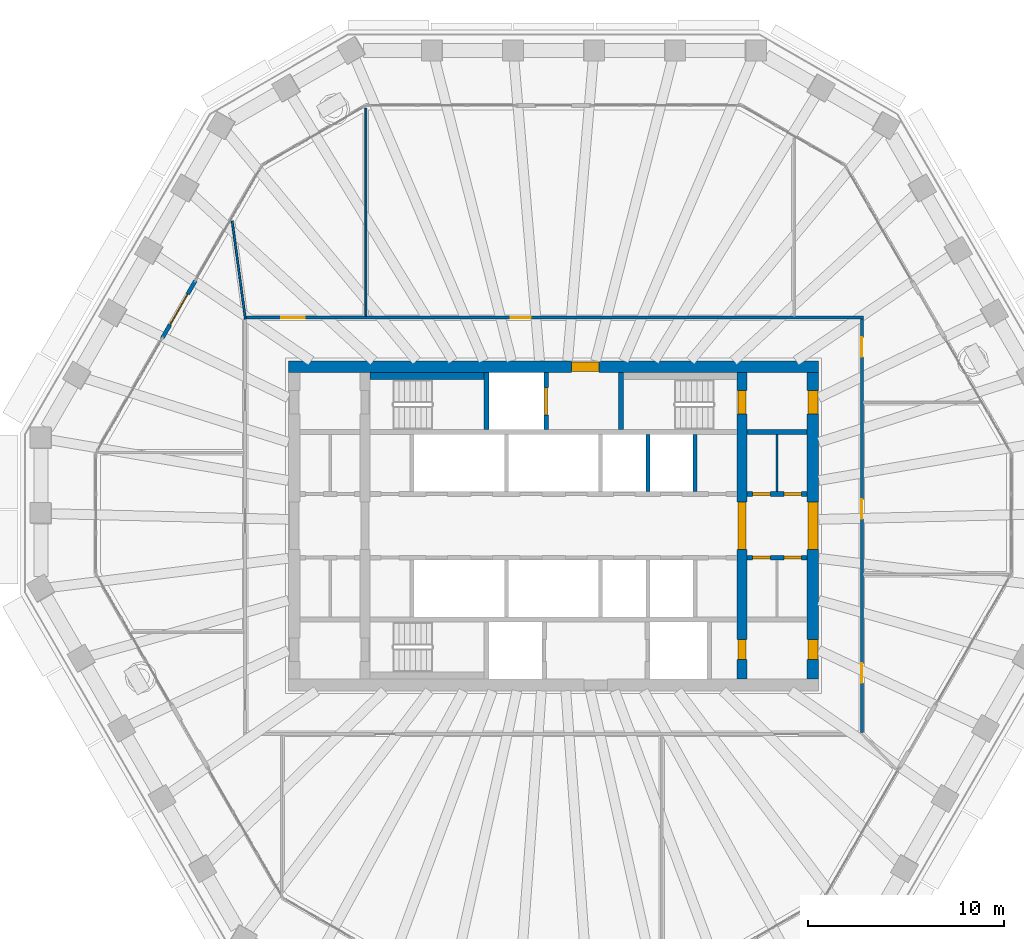
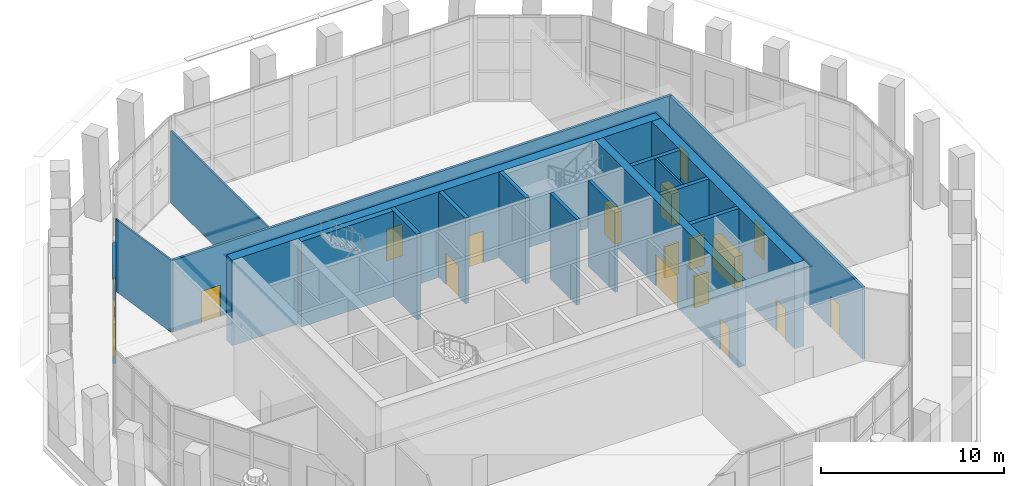
# One storey, part 14 of 19: 18 doors, 18 walls, 1 window, 19 openings.
"""IFC4 building model written with IfcOpenShell, lengths in metres."""

import ifcopenshell
import ifcopenshell.guid

model = None  # the IFC model being written
_history = None  # IfcOwnerHistory: only IFC2X3 demands one
_inside = {}  # id of a spatial element -> (the spatial element, [elements in it])
_under = {}  # id of a project, library or spatial element -> (it, [spatial elements below it])
_declared = {}  # id of a project -> (the project, [libraries it declares])
_typed = {}  # id of a type object -> (the type object, [elements of that type])
_made_of = {}  # id of a material, layer set ... -> (it, [elements and type objects made of it])


def new_model(schema):
    """Start an empty IFC model of exactly this schema.

    Asked for "IFC4X3", IfcOpenShell would pick the latest addendum, in which some entities
    have other attributes; the version numbers below select the first issue.
    IFC2X3 requires an IfcOwnerHistory on every rooted entity: one is made here for all.
    """
    global model, _history
    if schema == "IFC4X3":
        model = ifcopenshell.file(schema_version=(4, 3, 0, 0))
    else:
        model = ifcopenshell.file(schema=schema)
    _inside.clear()
    _under.clear()
    _declared.clear()
    _typed.clear()
    _made_of.clear()
    _history = None
    if model.schema == "IFC2X3":
        org = make("IfcOrganization", Name="unknown")
        user = make(
            "IfcPersonAndOrganization",
            ThePerson=make("IfcPerson", FamilyName="unknown"),
            TheOrganization=org,
        )
        app = make(
            "IfcApplication",
            ApplicationDeveloper=org,
            Version="unknown",
            ApplicationFullName="unknown",
            ApplicationIdentifier="unknown",
        )
        _history = make(
            "IfcOwnerHistory",
            OwningUser=user,
            OwningApplication=app,
            ChangeAction="ADDED",
            CreationDate=0,
        )
    return model


def make(cls, **values):
    """One entity of the class cls with the attributes given. An attribute that is None is left unset."""
    return model.create_entity(
        cls, **{name: value for name, value in values.items() if value is not None}
    )


def rooted(cls, **values):
    """An entity with a GlobalId (a new one), such as an element, a storey or a relation."""
    return make(cls, GlobalId=ifcopenshell.guid.new(), OwnerHistory=_history, **values)


def si_unit(unit_type, name, prefix=None):
    """IfcSIUnit, for example si_unit("LENGTHUNIT", "METRE", prefix="MILLI")."""
    return make("IfcSIUnit", UnitType=unit_type, Prefix=prefix, Name=name)


def assignment(units):
    """IfcUnitAssignment: the units of a project."""
    return None if units is None else make("IfcUnitAssignment", Units=units)


def point(xyz):
    """IfcCartesianPoint."""
    return None if xyz is None else make("IfcCartesianPoint", Coordinates=xyz)


def direction(xyz):
    """IfcDirection."""
    return None if xyz is None else make("IfcDirection", DirectionRatios=xyz)


def frame(location, z_axis=None, x_axis=None):
    """IfcAxis2Placement3D, a coordinate frame: its origin and axes. An axis left out is left unset."""
    return make(
        "IfcAxis2Placement3D",
        Location=point(location),
        Axis=direction(z_axis),
        RefDirection=direction(x_axis),
    )


def frame_2d(location, x_axis=None):
    """IfcAxis2Placement2D, a coordinate frame in the plane: its origin and x axis."""
    return make(
        "IfcAxis2Placement2D", Location=point(location), RefDirection=direction(x_axis)
    )


def origin():
    """The frame at (0, 0, 0) with its axes left unset."""
    return frame((0.0, 0.0, 0.0))


def place(relative_to, where):
    """IfcLocalPlacement: puts the frame where relative to a parent placement (None: the world)."""
    return make(
        "IfcLocalPlacement", PlacementRelTo=relative_to, RelativePlacement=where
    )


def context(
    kind, dimensions, precision=None, world=None, true_north=None, identifier=None
):
    """IfcGeometricRepresentationContext, for example the 3D "Model" context."""
    return make(
        "IfcGeometricRepresentationContext",
        ContextIdentifier=identifier,
        ContextType=kind,
        CoordinateSpaceDimension=dimensions,
        Precision=precision,
        WorldCoordinateSystem=world,
        TrueNorth=true_north,
    )


def subcontext(parent, identifier, kind, view, scale=None):
    """IfcGeometricRepresentationSubContext, for example "Body" below "Model"."""
    return make(
        "IfcGeometricRepresentationSubContext",
        ContextIdentifier=identifier,
        ContextType=kind,
        ParentContext=parent,
        TargetScale=scale,
        TargetView=view,
    )


def project(units=None, contexts=None):
    """IfcProject with its units and contexts."""
    return rooted(
        "IfcProject",
        Name="project",
        RepresentationContexts=contexts,
        UnitsInContext=assignment(units),
    )


def spatial(cls, under=None, at=None, **own):
    """A site, building, storey or space (cls), placed at a placement, below another one or the project."""
    s = rooted(cls, ObjectPlacement=at, **own)
    if under is not None:
        _under.setdefault(under.id(), (under, []))[1].append(s)
    return s


def profile(cls, at=None, kind="AREA", **sizes):
    """A parametric profile (cls). Its sizes go by their IFC names, for example OverallWidth=200.0."""
    return make(cls, ProfileType=kind, Position=at, **sizes)


def rectangle(**sizes):
    """IfcRectangleProfileDef."""
    return profile("IfcRectangleProfileDef", **sizes)


def extrude(swept, where, along, depth):
    """IfcExtrudedAreaSolid: the profile swept, set in the frame where, extruded along a direction by depth."""
    return make(
        "IfcExtrudedAreaSolid",
        SweptArea=swept,
        Position=where,
        ExtrudedDirection=direction(along),
        Depth=depth,
    )


def shape(context_of_items, identifier, shape_type, items):
    """IfcShapeRepresentation: the items that make up one representation, for example the "Body"."""
    return make(
        "IfcShapeRepresentation",
        ContextOfItems=context_of_items,
        RepresentationIdentifier=identifier,
        RepresentationType=shape_type,
        Items=items,
    )


def material(Name=None, Category=None):
    """IfcMaterial."""
    return make("IfcMaterial", Name=Name, Category=Category)


def layer(
    of_material, thickness, ventilated=None, Name=None, Category=None, Priority=None
):
    """IfcMaterialLayer: one layer of a wall or slab, of a material (None: an air gap)."""
    return make(
        "IfcMaterialLayer",
        Material=of_material,
        LayerThickness=thickness,
        IsVentilated=ventilated,
        Name=Name,
        Category=Category,
        Priority=Priority,
    )


def layer_set(layers, Name=None):
    """IfcMaterialLayerSet."""
    return make("IfcMaterialLayerSet", MaterialLayers=layers, LayerSetName=Name)


def made_of(thing, what):
    """Note that an element or type object is made of a material, layer set ...; save() writes the relation."""
    if what is not None:
        _made_of.setdefault(what.id(), (what, []))[1].append(thing)
    return thing


def type_object(cls, material=None, **own):
    """A type object (cls), such as IfcWallType, which elements share."""
    return made_of(rooted(cls, **own), material)


def element(
    cls,
    number,
    at=None,
    inside=None,
    cuts=None,
    type_object=None,
    material=None,
    context=None,
    identifier="Body",
    shape_type=None,
    held_by="IfcProductDefinitionShape",
    body=None,
    shapes=None,
    **own,
):
    """One element of the class cls, such as IfcWall. Its Tag is "e" and its number.

    at: its placement. inside: the storey or other place that contains it. cuts: it is an
    opening in that element (IfcRelVoidsElement). A single representation is given by context,
    identifier, shape_type and body (its items); several are given by shapes. held_by: the class
    of the entity that holds the representations. save() writes the other relations.
    """
    e = rooted(cls, Tag="e%d" % number, ObjectPlacement=at, **own)
    if body is not None:
        shapes = [shape(context, identifier, shape_type, body)]
    if shapes is not None:
        e.Representation = make(held_by, Representations=shapes)
    if inside is not None:
        _inside.setdefault(inside.id(), (inside, []))[1].append(e)
    if cuts is not None:
        rooted(
            "IfcRelVoidsElement", RelatingBuildingElement=cuts, RelatedOpeningElement=e
        )
    if type_object is not None:
        _typed.setdefault(type_object.id(), (type_object, []))[1].append(e)
    return made_of(e, material)


def fill(opening, filler):
    """IfcRelFillsElement: the door or window that sits in an opening."""
    return rooted(
        "IfcRelFillsElement",
        RelatingOpeningElement=opening,
        RelatedBuildingElement=filler,
    )


def aggregate(whole, parts):
    """IfcRelAggregates: a whole, such as a stair, and the parts it consists of."""
    return rooted("IfcRelAggregates", RelatingObject=whole, RelatedObjects=parts)


def save(model, path):
    """Write the relations noted so far, then the file.

    IfcRelAggregates (storeys below a building ...), IfcRelContainedInSpatialStructure (elements
    in a storey), IfcRelDefinesByType, IfcRelAssociatesMaterial and IfcRelDeclares: one each for
    every whole, place, type object, material and project.
    """
    for whole, parts in _under.values():
        aggregate(whole, parts)
    for where, things in _inside.values():
        rooted(
            "IfcRelContainedInSpatialStructure",
            RelatedElements=things,
            RelatingStructure=where,
        )
    for kind, things in _typed.values():
        rooted("IfcRelDefinesByType", RelatedObjects=things, RelatingType=kind)
    for what, things in _made_of.values():
        rooted("IfcRelAssociatesMaterial", RelatedObjects=things, RelatingMaterial=what)
    for by, libraries in _declared.values():
        rooted("IfcRelDeclares", RelatingContext=by, RelatedDefinitions=libraries)
    model.write(path)


model = new_model("IFC4")

# Units and contexts
model_context = context("Model", 3, precision=1e-05, world=origin(), true_north=direction((0.0, 1.0)))
body_context = subcontext(model_context, "Body", "Model", "MODEL_VIEW")
ifc_project = project(units=[si_unit("LENGTHUNIT", "METRE"), si_unit("AREAUNIT", "SQUARE_METRE"), si_unit("VOLUMEUNIT", "CUBIC_METRE"), si_unit("PLANEANGLEUNIT", "RADIAN"), si_unit("MASSUNIT", "GRAM", prefix="KILO")], contexts=[model_context])

# Site, building, storey
site_placement = place(None, origin())
site = spatial("IfcSite", under=ifc_project, at=site_placement, CompositionType="ELEMENT")
building_placement = place(site_placement, origin())
building = spatial("IfcBuilding", under=site, at=building_placement, Name="Frailejon Research Tower", CompositionType="ELEMENT")
storey_placement = place(building_placement, frame((0.0, 0.0, 231.39990234375)))
storey = spatial("IfcBuildingStorey", under=building, at=storey_placement, Name="L50", CompositionType="ELEMENT", Elevation=231.39990234375)

# Wall
ifc_material_1 = material(Name="Plasterboard on steel studs", Category="steel")
ifc_layer_1 = layer(ifc_material_1, 0.125)
ifc_layer_set_1 = layer_set([ifc_layer_1], Name="Core partition 125")
wall_type_1 = type_object("IfcWallType", Name="Core partition 125", PredefinedType="PARTITIONING", material=ifc_layer_set_1)
wall_1_placement = place(storey_placement, frame((11.375, 1.75, 0.0), z_axis=(0.0, 0.0, 1.0), x_axis=(0.0, 1.0, 0.0)))
element("IfcWall", 1, at=wall_1_placement, inside=storey, type_object=wall_type_1, Name="Core partition", PredefinedType="PARTITIONING", context=body_context, shape_type="SweptSolid", body=[
    extrude(rectangle(XDim=2.89990234375, YDim=0.125, at=frame_2d((1.449951171875, 0.0))), origin(), (0.0, 0.0, 1.0), 5.7001953125),
])

# Wall, openings, doors
ifc_material_2 = material(Name="Concrete C60/75", Category="concrete")
ifc_layer_2 = layer(ifc_material_2, 0.5)
ifc_layer_set_2 = layer_set([ifc_layer_2], Name="Core shear wall 500 C60/75")
wall_type_2 = type_object("IfcWallType", Name="Core shear wall 500 C60/75", PredefinedType="SHEAR", material=ifc_layer_set_2)
wall_2_placement = place(storey_placement, frame((9.60009765625, -7.800048828125, 0.0), z_axis=(0.0, 0.0, 1.0), x_axis=(0.0, 1.0, 0.0)))
wall_2 = element("IfcWall", 2, at=wall_2_placement, inside=storey, type_object=wall_type_2, Name="Core shear wall", PredefinedType="SHEAR", context=body_context, shape_type="SweptSolid", body=[
    extrude(rectangle(XDim=15.60009765625, YDim=0.5, at=frame_2d((7.800048828125, 0.0))), origin(), (0.0, 0.0, 1.0), 5.7001953125),
])
opening_1_placement = place(wall_2_placement, frame((6.60009765625, 0.0, 0.0)))
opening_1 = element("IfcOpeningElement", 3, at=opening_1_placement, cuts=wall_2, Name="Opening D2", PredefinedType="OPENING", context=body_context, shape_type="SweptSolid", body=[
    extrude(rectangle(XDim=2.39990234375, YDim=2.10009765625, at=frame_2d((1.199951171875, 1.050048828125))), frame((0.0, 0.260009765625, 0.0), z_axis=(0.0, -1.0, 0.0), x_axis=(1.0, 0.0, 0.0)), (0.0, 0.0, 1.0), 0.52001953125),
])
opening_2_placement = place(wall_2_placement, frame((13.5, 0.0, 0.0)))
opening_2 = element("IfcOpeningElement", 4, at=opening_2_placement, cuts=wall_2, Name="Opening D1", PredefinedType="OPENING", context=body_context, shape_type="SweptSolid", body=[
    extrude(rectangle(XDim=1.199951171875, YDim=2.10009765625, at=frame_2d((0.60009765625, 1.050048828125))), frame((0.0, 0.260009765625, 0.0), z_axis=(0.0, -1.0, 0.0), x_axis=(1.0, 0.0, 0.0)), (0.0, 0.0, 1.0), 0.52001953125),
])
opening_3_placement = place(wall_2_placement, frame((1.0, 0.0, 0.0)))
opening_3 = element("IfcOpeningElement", 5, at=opening_3_placement, cuts=wall_2, Name="Opening D4", PredefinedType="OPENING", context=body_context, shape_type="SweptSolid", body=[
    extrude(rectangle(XDim=1.0, YDim=2.10009765625, at=frame_2d((0.5, 1.050048828125))), frame((0.0, 0.260009765625, 0.0), z_axis=(0.0, -1.0, 0.0), x_axis=(1.0, 0.0, 0.0)), (0.0, 0.0, 1.0), 0.52001953125),
])
ifc_material_3 = material(Name="Steel", Category="steel")
door_type_1 = type_object("IfcDoorType", Name="Lobby double door", OperationType="DOUBLE_DOOR_SINGLE_SWING", PredefinedType="DOOR", material=ifc_material_3)
door_1_placement = place(opening_1_placement, origin())
door_1 = element("IfcDoor", 6, at=door_1_placement, inside=storey, type_object=door_type_1, Name="Lobby door", OperationType="DOUBLE_DOOR_SINGLE_SWING", OverallHeight=2.10009765625, OverallWidth=2.39990234375, PredefinedType="DOOR", context=body_context, shape_type="SweptSolid", body=[
    extrude(rectangle(XDim=2.39990234375, YDim=2.10009765625, at=frame_2d((1.199951171875, 1.050048828125))), frame((0.0, 0.199951171875, 0.0), z_axis=(0.0, -1.0, 0.0), x_axis=(1.0, 0.0, 0.0)), (0.0, 0.0, 1.0), 0.39990234375),
])
fill(opening_1, door_1)
ifc_material_4 = material(Name="Steel", Category="steel")
door_type_2 = type_object("IfcDoorType", Name="Service door", OperationType="SINGLE_SWING_LEFT", PredefinedType="DOOR", material=ifc_material_4)
door_2_placement = place(opening_3_placement, origin())
door_2 = element("IfcDoor", 7, at=door_2_placement, inside=storey, type_object=door_type_2, Name="Riser door", OperationType="SINGLE_SWING_RIGHT", OverallHeight=2.10009765625, OverallWidth=1.0, PredefinedType="DOOR", context=body_context, shape_type="SweptSolid", body=[
    extrude(rectangle(XDim=1.0, YDim=2.10009765625, at=frame_2d((0.5, 1.050048828125))), frame((0.0, 0.199951171875, 0.0), z_axis=(0.0, -1.0, 0.0), x_axis=(1.0, 0.0, 0.0)), (0.0, 0.0, 1.0), 0.39990234375),
])
fill(opening_3, door_2)
ifc_material_5 = material(Name="Steel", Category="steel")
door_type_3 = type_object("IfcDoorType", Name="Stair door", OperationType="SINGLE_SWING_LEFT", PredefinedType="DOOR", material=ifc_material_5)
door_3_placement = place(opening_2_placement, origin())
door_3 = element("IfcDoor", 8, at=door_3_placement, inside=storey, type_object=door_type_3, Name="Stair door ST3", OperationType="SINGLE_SWING_RIGHT", OverallHeight=2.10009765625, OverallWidth=1.199951171875, PredefinedType="DOOR", context=body_context, shape_type="SweptSolid", body=[
    extrude(rectangle(XDim=1.199951171875, YDim=2.10009765625, at=frame_2d((0.60009765625, 1.050048828125))), frame((0.0, 0.199951171875, 0.0), z_axis=(0.0, -1.0, 0.0), x_axis=(1.0, 0.0, 0.0)), (0.0, 0.0, 1.0), 0.39990234375),
])
fill(opening_2, door_3)

# Wall, opening, door
ifc_material_6 = material(Name="Concrete C60/75", Category="concrete")
ifc_layer_3 = layer(ifc_material_6, 0.60009765625)
ifc_layer_set_3 = layer_set([ifc_layer_3], Name="Core shear wall 600 C60/75")
wall_type_3 = type_object("IfcWallType", Name="Core shear wall 600 C60/75", PredefinedType="SHEAR", material=ifc_layer_set_3)
wall_3_placement = place(storey_placement, frame((-13.5, 8.10009765625, 0.0), z_axis=(0.0, 0.0, 1.0), x_axis=(1.0, 0.0, 0.0)))
wall_3 = element("IfcWall", 9, at=wall_3_placement, inside=storey, type_object=wall_type_3, Name="Core shear wall", PredefinedType="SHEAR", context=body_context, shape_type="SweptSolid", body=[
    extrude(rectangle(XDim=27.0, YDim=0.60009765625, at=frame_2d((13.5, 0.0))), origin(), (0.0, 0.0, 1.0), 5.7001953125),
])
opening_4_placement = place(wall_3_placement, frame((14.425048828125, 0.0, 0.0)))
opening_4 = element("IfcOpeningElement", 10, at=opening_4_placement, cuts=wall_3, Name="Opening D9", PredefinedType="OPENING", context=body_context, shape_type="SweptSolid", body=[
    extrude(rectangle(XDim=1.39990234375, YDim=2.10009765625, at=frame_2d((0.699951171875, 1.050048828125))), frame((0.0, 0.31005859375, 0.0), z_axis=(0.0, -1.0, 0.0), x_axis=(1.0, 0.0, 0.0)), (0.0, 0.0, 1.0), 0.6201171875),
])
ifc_material_7 = material(Name="Steel", Category="steel")
door_type_4 = type_object("IfcDoorType", Name="Goods lobby door", OperationType="DOUBLE_DOOR_SINGLE_SWING", PredefinedType="DOOR", material=ifc_material_7)
door_4_placement = place(opening_4_placement, origin())
door_4 = element("IfcDoor", 11, at=door_4_placement, inside=storey, type_object=door_type_4, Name="Goods lobby door", OperationType="DOUBLE_DOOR_SINGLE_SWING", OverallHeight=2.10009765625, OverallWidth=1.39990234375, PredefinedType="DOOR", context=body_context, shape_type="SweptSolid", body=[
    extrude(rectangle(XDim=1.39990234375, YDim=2.10009765625, at=frame_2d((0.699951171875, 1.050048828125))), frame((0.0, 0.25, 0.0), z_axis=(0.0, -1.0, 0.0), x_axis=(1.0, 0.0, 0.0)), (0.0, 0.0, 1.0), 0.5),
])
fill(opening_4, door_4)

# Wall, openings, doors
wall_4_placement = place(storey_placement, frame((13.199951171875, -7.800048828125, 0.0), z_axis=(0.0, 0.0, 1.0), x_axis=(0.0, 1.0, 0.0)))
wall_4 = element("IfcWall", 12, at=wall_4_placement, inside=storey, type_object=wall_type_3, Name="Core shear wall", PredefinedType="SHEAR", context=body_context, shape_type="SweptSolid", body=[
    extrude(rectangle(XDim=15.60009765625, YDim=0.60009765625, at=frame_2d((7.800048828125, 0.0))), origin(), (0.0, 0.0, 1.0), 5.7001953125),
])
opening_5_placement = place(wall_4_placement, frame((6.60009765625, 0.0, 0.0)))
opening_5 = element("IfcOpeningElement", 13, at=opening_5_placement, cuts=wall_4, Name="Opening D2", PredefinedType="OPENING", context=body_context, shape_type="SweptSolid", body=[
    extrude(rectangle(XDim=2.39990234375, YDim=2.10009765625, at=frame_2d((1.199951171875, 1.050048828125))), frame((0.0, 0.31005859375, 0.0), z_axis=(0.0, -1.0, 0.0), x_axis=(1.0, 0.0, 0.0)), (0.0, 0.0, 1.0), 0.6201171875),
])
opening_6_placement = place(wall_4_placement, frame((13.5, 0.0, 0.0)))
opening_6 = element("IfcOpeningElement", 14, at=opening_6_placement, cuts=wall_4, Name="Opening D7", PredefinedType="OPENING", context=body_context, shape_type="SweptSolid", body=[
    extrude(rectangle(XDim=1.199951171875, YDim=2.10009765625, at=frame_2d((0.60009765625, 1.050048828125))), frame((0.0, 0.31005859375, 0.0), z_axis=(0.0, -1.0, 0.0), x_axis=(1.0, 0.0, 0.0)), (0.0, 0.0, 1.0), 0.6201171875),
])
opening_7_placement = place(wall_4_placement, frame((1.0, 0.0, 0.0)))
opening_7 = element("IfcOpeningElement", 15, at=opening_7_placement, cuts=wall_4, Name="Opening D4", PredefinedType="OPENING", context=body_context, shape_type="SweptSolid", body=[
    extrude(rectangle(XDim=1.0, YDim=2.10009765625, at=frame_2d((0.5, 1.050048828125))), frame((0.0, 0.31005859375, 0.0), z_axis=(0.0, -1.0, 0.0), x_axis=(1.0, 0.0, 0.0)), (0.0, 0.0, 1.0), 0.6201171875),
])
door_5_placement = place(opening_5_placement, origin())
door_5 = element("IfcDoor", 16, at=door_5_placement, inside=storey, type_object=door_type_1, Name="Lobby door", OperationType="DOUBLE_DOOR_SINGLE_SWING", OverallHeight=2.10009765625, OverallWidth=2.39990234375, PredefinedType="DOOR", context=body_context, shape_type="SweptSolid", body=[
    extrude(rectangle(XDim=2.39990234375, YDim=2.10009765625, at=frame_2d((1.199951171875, 1.050048828125))), frame((0.0, 0.25, 0.0), z_axis=(0.0, -1.0, 0.0), x_axis=(1.0, 0.0, 0.0)), (0.0, 0.0, 1.0), 0.5),
])
fill(opening_5, door_5)
door_6_placement = place(opening_7_placement, origin())
door_6 = element("IfcDoor", 17, at=door_6_placement, inside=storey, type_object=door_type_2, Name="Store door", OperationType="SINGLE_SWING_LEFT", OverallHeight=2.10009765625, OverallWidth=1.0, PredefinedType="DOOR", context=body_context, shape_type="SweptSolid", body=[
    extrude(rectangle(XDim=1.0, YDim=2.10009765625, at=frame_2d((0.5, 1.050048828125))), frame((0.0, 0.25, 0.0), z_axis=(0.0, -1.0, 0.0), x_axis=(1.0, 0.0, 0.0)), (0.0, 0.0, 1.0), 0.5),
])
fill(opening_7, door_6)
ifc_material_8 = material(Name="Steel", Category="steel")
door_type_5 = type_object("IfcDoorType", Name="Stair exit door", OperationType="SINGLE_SWING_LEFT", PredefinedType="DOOR", material=ifc_material_8)
door_7_placement = place(opening_6_placement, origin())
door_7 = element("IfcDoor", 18, at=door_7_placement, inside=storey, type_object=door_type_5, Name="Stair exit door ST3", OperationType="SINGLE_SWING_LEFT", OverallHeight=2.10009765625, OverallWidth=1.199951171875, PredefinedType="DOOR", context=body_context, shape_type="SweptSolid", body=[
    extrude(rectangle(XDim=1.199951171875, YDim=2.10009765625, at=frame_2d((0.60009765625, 1.050048828125))), frame((0.0, 0.25, 0.0), z_axis=(0.0, -1.0, 0.0), x_axis=(1.0, 0.0, 0.0)), (0.0, 0.0, 1.0), 0.5),
])
fill(opening_6, door_7)

ifc_material_9 = material(Name="Gypsum board and masonry partition", Category="masonry")
ifc_layer_4 = layer(ifc_material_9, 0.14990234375)
ifc_layer_set_4 = layer_set([ifc_layer_4], Name="Corridor wall EI 60, gypsum on steel studs 150")
wall_type_4 = type_object("IfcWallType", Name="Corridor wall EI 60, gypsum on steel studs 150", PredefinedType="PARTITIONING", material=ifc_layer_set_4)
wall_5_placement = place(storey_placement, frame((15.699951171875, -10.52490234375, 0.0), z_axis=(0.0, 0.0, 1.0), x_axis=(0.0, 1.0, 0.0)))
wall_5 = element("IfcWall", 19, at=wall_5_placement, inside=storey, type_object=wall_type_4, Name="T:IW:L50:001", PredefinedType="PARTITIONING", context=body_context, shape_type="SweptSolid", body=[
    extrude(rectangle(XDim=21.0498046875, YDim=0.14990234375, at=frame_2d((10.52490234375, 0.0))), origin(), (0.0, 0.0, 1.0), 4.800048828125),
])
opening_8_placement = place(wall_5_placement, frame((10.87255859375, 0.0, 0.0)))
opening_8 = element("IfcOpeningElement", 20, at=opening_8_placement, cuts=wall_5, Name="Opening D1120", PredefinedType="OPENING", context=body_context, shape_type="SweptSolid", body=[
    extrude(rectangle(XDim=1.0, YDim=2.10009765625, at=frame_2d((0.5, 1.050048828125))), frame((0.0, 0.0849609375, 0.0), z_axis=(0.0, -1.0, 0.0), x_axis=(1.0, 0.0, 0.0)), (0.0, 0.0, 1.0), 0.169921875),
])
opening_9_placement = place(wall_5_placement, frame((19.122314453125, 0.0, 0.0)))
opening_9 = element("IfcOpeningElement", 21, at=opening_9_placement, cuts=wall_5, Name="Opening D1121", PredefinedType="OPENING", context=body_context, shape_type="SweptSolid", body=[
    extrude(rectangle(XDim=1.0, YDim=2.10009765625, at=frame_2d((0.5, 1.050048828125))), frame((0.0, 0.0849609375, 0.0), z_axis=(0.0, -1.0, 0.0), x_axis=(1.0, 0.0, 0.0)), (0.0, 0.0, 1.0), 0.169921875),
])
opening_10_placement = place(wall_5_placement, frame((2.523681640625, 0.0, 0.0)))
opening_10 = element("IfcOpeningElement", 22, at=opening_10_placement, cuts=wall_5, Name="Opening D1129", PredefinedType="OPENING", context=body_context, shape_type="SweptSolid", body=[
    extrude(rectangle(XDim=1.0, YDim=2.10009765625, at=frame_2d((0.5, 1.050048828125))), frame((0.0, 0.0849609375, 0.0), z_axis=(0.0, -1.0, 0.0), x_axis=(1.0, 0.0, 0.0)), (0.0, 0.0, 1.0), 0.169921875),
])
ifc_material_10 = material(Name="Timber door leaf", Category="wood")
door_type_6 = type_object("IfcDoorType", Name="Door single leaf, timber, steel frame 1000", OperationType="NOTDEFINED", PredefinedType="DOOR", material=ifc_material_10)
door_8_placement = place(opening_8_placement, origin())
door_8 = element("IfcDoor", 23, at=door_8_placement, inside=storey, type_object=door_type_6, Name="D1120", OperationType="SINGLE_SWING_RIGHT", OverallHeight=2.10009765625, OverallWidth=1.0, PredefinedType="DOOR", context=body_context, shape_type="SweptSolid", body=[
    extrude(rectangle(XDim=1.0, YDim=2.10009765625, at=frame_2d((0.5, 1.050048828125))), frame((0.0, 0.02490234375, 0.0), z_axis=(0.0, -1.0, 0.0), x_axis=(1.0, 0.0, 0.0)), (0.0, 0.0, 1.0), 0.050048828125),
])
fill(opening_8, door_8)
door_9_placement = place(opening_9_placement, origin())
door_9 = element("IfcDoor", 24, at=door_9_placement, inside=storey, type_object=door_type_6, Name="D1121", OperationType="SINGLE_SWING_LEFT", OverallHeight=2.10009765625, OverallWidth=1.0, PredefinedType="DOOR", context=body_context, shape_type="SweptSolid", body=[
    extrude(rectangle(XDim=1.0, YDim=2.10009765625, at=frame_2d((0.5, 1.050048828125))), frame((0.0, 0.02490234375, 0.0), z_axis=(0.0, -1.0, 0.0), x_axis=(1.0, 0.0, 0.0)), (0.0, 0.0, 1.0), 0.050048828125),
])
fill(opening_9, door_9)
door_10_placement = place(opening_10_placement, origin())
door_10 = element("IfcDoor", 25, at=door_10_placement, inside=storey, type_object=door_type_6, Name="D1129", OperationType="SINGLE_SWING_LEFT", OverallHeight=2.10009765625, OverallWidth=1.0, PredefinedType="DOOR", context=body_context, shape_type="SweptSolid", body=[
    extrude(rectangle(XDim=1.0, YDim=2.10009765625, at=frame_2d((0.5, 1.050048828125))), frame((0.0, 0.02490234375, 0.0), z_axis=(0.0, -1.0, 0.0), x_axis=(1.0, 0.0, 0.0)), (0.0, 0.0, 1.0), 0.050048828125),
])
fill(opening_10, door_10)

wall_6_placement = place(storey_placement, frame((-15.625, 10.60009765625, 0.0), z_axis=(0.0, 0.0, 1.0), x_axis=(1.0, 0.0, 0.0)))
wall_6 = element("IfcWall", 26, at=wall_6_placement, inside=storey, type_object=wall_type_4, Name="T:IW:L50:002", PredefinedType="PARTITIONING", context=body_context, shape_type="SweptSolid", body=[
    extrude(rectangle(XDim=31.39990234375, YDim=0.14990234375, at=frame_2d((15.699951171875, 0.0))), origin(), (0.0, 0.0, 1.0), 4.800048828125),
])
opening_11_placement = place(wall_6_placement, frame((13.4541015625, 0.0, 0.0)))
opening_11 = element("IfcOpeningElement", 27, at=opening_11_placement, cuts=wall_6, Name="Opening D1122", PredefinedType="OPENING", context=body_context, shape_type="SweptSolid", body=[
    extrude(rectangle(XDim=1.0, YDim=2.10009765625, at=frame_2d((0.5, 1.050048828125))), frame((0.0, 0.0849609375, 0.0), z_axis=(0.0, -1.0, 0.0), x_axis=(1.0, 0.0, 0.0)), (0.0, 0.0, 1.0), 0.169921875),
])
opening_12_placement = place(wall_6_placement, frame((1.760498046875, 0.0, 0.0)))
opening_12 = element("IfcOpeningElement", 28, at=opening_12_placement, cuts=wall_6, Name="Opening D1123", PredefinedType="OPENING", context=body_context, shape_type="SweptSolid", body=[
    extrude(rectangle(XDim=1.199951171875, YDim=2.10009765625, at=frame_2d((0.60009765625, 1.050048828125))), frame((0.0, 0.0849609375, 0.0), z_axis=(0.0, -1.0, 0.0), x_axis=(1.0, 0.0, 0.0)), (0.0, 0.0, 1.0), 0.169921875),
])
door_11_placement = place(opening_11_placement, origin())
door_11 = element("IfcDoor", 29, at=door_11_placement, inside=storey, type_object=door_type_6, Name="D1122", OperationType="SINGLE_SWING_RIGHT", OverallHeight=2.10009765625, OverallWidth=1.0, PredefinedType="DOOR", context=body_context, shape_type="SweptSolid", body=[
    extrude(rectangle(XDim=1.0, YDim=2.10009765625, at=frame_2d((0.5, 1.050048828125))), frame((0.0, 0.02490234375, 0.0), z_axis=(0.0, -1.0, 0.0), x_axis=(1.0, 0.0, 0.0)), (0.0, 0.0, 1.0), 0.050048828125),
])
fill(opening_11, door_11)
ifc_material_11 = material(Name="Timber door leaf", Category="wood")
door_type_7 = type_object("IfcDoorType", Name="Door single leaf, timber, steel frame 1200", OperationType="NOTDEFINED", PredefinedType="DOOR", material=ifc_material_11)
door_12_placement = place(opening_12_placement, origin())
door_12 = element("IfcDoor", 30, at=door_12_placement, inside=storey, type_object=door_type_7, Name="D1123", OperationType="DOUBLE_DOOR_SINGLE_SWING", OverallHeight=2.10009765625, OverallWidth=1.199951171875, PredefinedType="DOOR", context=body_context, shape_type="SweptSolid", body=[
    extrude(rectangle(XDim=1.199951171875, YDim=2.10009765625, at=frame_2d((0.60009765625, 1.050048828125))), frame((0.0, 0.02490234375, 0.0), z_axis=(0.0, -1.0, 0.0), x_axis=(1.0, 0.0, 0.0)), (0.0, 0.0, 1.0), 0.050048828125),
])
fill(opening_12, door_12)

# Walls
ifc_material_12 = material(Name="Gypsum board and masonry partition", Category="masonry")
ifc_layer_5 = layer(ifc_material_12, 0.10009765625)
ifc_layer_set_5 = layer_set([ifc_layer_5], Name="Partition, gypsum on steel studs 100")
wall_type_5 = type_object("IfcWallType", Name="Partition, gypsum on steel studs 100", PredefinedType="PARTITIONING", material=ifc_layer_set_5)
wall_7_placement = place(storey_placement, frame((-9.555419921875, 10.675048828125, 0.0), z_axis=(0.0, 0.0, 1.0), x_axis=(0.0, 1.0, 0.0)))
element("IfcWall", 31, at=wall_7_placement, inside=storey, type_object=wall_type_5, Name="T:IW:L50:008", PredefinedType="PARTITIONING", context=body_context, shape_type="SweptSolid", body=[
    extrude(rectangle(XDim=10.593994140625, YDim=0.10009765625, at=frame_2d((5.296875, 0.0))), origin(), (0.0, 0.0, 1.0), 4.800048828125),
])
wall_8_placement = place(storey_placement, frame((-16.363037109375, 15.515380859375, 0.0), z_axis=(0.0, 0.0, 1.0), x_axis=(0.133684942014, -0.991023882799, 0.0)))
element("IfcWall", 32, at=wall_8_placement, inside=storey, type_object=wall_type_5, Name="T:IW:L50:009", PredefinedType="PARTITIONING", context=body_context, shape_type="SweptSolid", body=[
    extrude(rectangle(XDim=5.034912109375, YDim=0.10009765625, at=frame_2d((2.517578125, 0.0))), origin(), (0.0, 0.0, 1.0), 4.800048828125),
])
ifc_material_13 = material(Name="Concrete C60/75", Category="concrete")
ifc_layer_6 = layer(ifc_material_13, 0.199951171875)
ifc_layer_set_6 = layer_set([ifc_layer_6], Name="Shaft wall 200 C60/75")
wall_type_6 = type_object("IfcWallType", Name="Shaft wall 200 C60/75", PredefinedType="SOLIDWALL", material=ifc_layer_set_6)
for number, where, z_axis, x_axis, name in (
    (33, (4.800048828125, 1.75, 0.0), (0.0, 0.0, 1.0), (0.0, 1.0, 0.0), "Shaft wall"),
    (34, (7.199951171875, 1.75, 0.0), (0.0, 0.0, 1.0), (0.0, 1.0, 0.0), "Shaft wall"),
):
    element("IfcWall", number, at=place(storey_placement, frame(where, z_axis=z_axis, x_axis=x_axis)), inside=storey, type_object=wall_type_6, Name=name, PredefinedType="SOLIDWALL", context=body_context, shape_type="SweptSolid", body=[
        extrude(rectangle(XDim=2.89990234375, YDim=0.199951171875, at=frame_2d((1.449951171875, 0.0))), origin(), (0.0, 0.0, 1.0), 5.7001953125),
    ])

# Wall, openings, doors
ifc_material_14 = material(Name="Concrete C60/75", Category="concrete")
ifc_layer_7 = layer(ifc_material_14, 0.25)
ifc_layer_set_7 = layer_set([ifc_layer_7], Name="Shaft wall 250 C60/75")
wall_type_7 = type_object("IfcWallType", Name="Shaft wall 250 C60/75", PredefinedType="SOLIDWALL", material=ifc_layer_set_7)
wall_9_placement = place(storey_placement, frame((9.85009765625, 1.625, 0.0), z_axis=(0.0, 0.0, 1.0), x_axis=(1.0, 0.0, 0.0)))
wall_9 = element("IfcWall", 35, at=wall_9_placement, inside=storey, type_object=wall_type_7, Name="Shaft wall", PredefinedType="SOLIDWALL", context=body_context, shape_type="SweptSolid", body=[
    extrude(rectangle(XDim=3.0498046875, YDim=0.25, at=frame_2d((1.52490234375, 0.0))), origin(), (0.0, 0.0, 1.0), 5.7001953125),
])
opening_13_placement = place(wall_9_placement, frame((0.28125, 0.0, 0.0)))
opening_13 = element("IfcOpeningElement", 36, at=opening_13_placement, cuts=wall_9, Name="Opening D8", PredefinedType="OPENING", context=body_context, shape_type="SweptSolid", body=[
    extrude(rectangle(XDim=0.89990234375, YDim=2.10009765625, at=frame_2d((0.449951171875, 1.050048828125))), frame((0.0, 0.135009765625, 0.0), z_axis=(0.0, -1.0, 0.0), x_axis=(1.0, 0.0, 0.0)), (0.0, 0.0, 1.0), 0.27001953125),
])
opening_14_placement = place(wall_9_placement, frame((1.868896484375, 0.0, 0.0)))
opening_14 = element("IfcOpeningElement", 37, at=opening_14_placement, cuts=wall_9, Name="Opening D8", PredefinedType="OPENING", context=body_context, shape_type="SweptSolid", body=[
    extrude(rectangle(XDim=0.89990234375, YDim=2.10009765625, at=frame_2d((0.449951171875, 1.050048828125))), frame((0.0, 0.135009765625, 0.0), z_axis=(0.0, -1.0, 0.0), x_axis=(1.0, 0.0, 0.0)), (0.0, 0.0, 1.0), 0.27001953125),
])
ifc_material_15 = material(Name="Steel", Category="steel")
door_type_8 = type_object("IfcDoorType", Name="Core room door", OperationType="SINGLE_SWING_LEFT", PredefinedType="DOOR", material=ifc_material_15)
door_13_placement = place(opening_13_placement, origin())
door_13 = element("IfcDoor", 38, at=door_13_placement, inside=storey, type_object=door_type_8, Name="Room door", OperationType="SINGLE_SWING_RIGHT", OverallHeight=2.10009765625, OverallWidth=0.89990234375, PredefinedType="DOOR", context=body_context, shape_type="SweptSolid", body=[
    extrude(rectangle(XDim=0.89990234375, YDim=2.10009765625, at=frame_2d((0.449951171875, 1.050048828125))), frame((0.0, 0.074951171875, 0.0), z_axis=(0.0, -1.0, 0.0), x_axis=(1.0, 0.0, 0.0)), (0.0, 0.0, 1.0), 0.14990234375),
])
fill(opening_13, door_13)
door_14_placement = place(opening_14_placement, origin())
door_14 = element("IfcDoor", 39, at=door_14_placement, inside=storey, type_object=door_type_8, Name="Room door", OperationType="SINGLE_SWING_LEFT", OverallHeight=2.10009765625, OverallWidth=0.89990234375, PredefinedType="DOOR", context=body_context, shape_type="SweptSolid", body=[
    extrude(rectangle(XDim=0.89990234375, YDim=2.10009765625, at=frame_2d((0.449951171875, 1.050048828125))), frame((0.0, 0.074951171875, 0.0), z_axis=(0.0, -1.0, 0.0), x_axis=(1.0, 0.0, 0.0)), (0.0, 0.0, 1.0), 0.14990234375),
])
fill(opening_14, door_14)

# Wall
wall_10_placement = place(storey_placement, frame((9.85009765625, 4.77490234375, 0.0), z_axis=(0.0, 0.0, 1.0), x_axis=(1.0, 0.0, 0.0)))
element("IfcWall", 40, at=wall_10_placement, inside=storey, type_object=wall_type_7, Name="Shaft wall", PredefinedType="SOLIDWALL", context=body_context, shape_type="SweptSolid", body=[
    extrude(rectangle(XDim=3.0498046875, YDim=0.25, at=frame_2d((1.52490234375, 0.0))), origin(), (0.0, 0.0, 1.0), 5.7001953125),
])

# Wall, openings, doors
wall_11_placement = place(storey_placement, frame((9.85009765625, -1.625, 0.0), z_axis=(0.0, 0.0, 1.0), x_axis=(1.0, 0.0, 0.0)))
wall_11 = element("IfcWall", 41, at=wall_11_placement, inside=storey, type_object=wall_type_7, Name="Shaft wall", PredefinedType="SOLIDWALL", context=body_context, shape_type="SweptSolid", body=[
    extrude(rectangle(XDim=3.0498046875, YDim=0.25, at=frame_2d((1.52490234375, 0.0))), origin(), (0.0, 0.0, 1.0), 5.7001953125),
])
opening_15_placement = place(wall_11_placement, frame((0.28125, 0.0, 0.0)))
opening_15 = element("IfcOpeningElement", 42, at=opening_15_placement, cuts=wall_11, Name="Opening D8", PredefinedType="OPENING", context=body_context, shape_type="SweptSolid", body=[
    extrude(rectangle(XDim=0.89990234375, YDim=2.10009765625, at=frame_2d((0.449951171875, 1.050048828125))), frame((0.0, 0.135009765625, 0.0), z_axis=(0.0, -1.0, 0.0), x_axis=(1.0, 0.0, 0.0)), (0.0, 0.0, 1.0), 0.27001953125),
])
opening_16_placement = place(wall_11_placement, frame((1.868896484375, 0.0, 0.0)))
opening_16 = element("IfcOpeningElement", 43, at=opening_16_placement, cuts=wall_11, Name="Opening D8", PredefinedType="OPENING", context=body_context, shape_type="SweptSolid", body=[
    extrude(rectangle(XDim=0.89990234375, YDim=2.10009765625, at=frame_2d((0.449951171875, 1.050048828125))), frame((0.0, 0.135009765625, 0.0), z_axis=(0.0, -1.0, 0.0), x_axis=(1.0, 0.0, 0.0)), (0.0, 0.0, 1.0), 0.27001953125),
])
door_15_placement = place(opening_15_placement, origin())
door_15 = element("IfcDoor", 44, at=door_15_placement, inside=storey, type_object=door_type_8, Name="Room door", OperationType="SINGLE_SWING_RIGHT", OverallHeight=2.10009765625, OverallWidth=0.89990234375, PredefinedType="DOOR", context=body_context, shape_type="SweptSolid", body=[
    extrude(rectangle(XDim=0.89990234375, YDim=2.10009765625, at=frame_2d((0.449951171875, 1.050048828125))), frame((0.0, 0.074951171875, 0.0), z_axis=(0.0, -1.0, 0.0), x_axis=(1.0, 0.0, 0.0)), (0.0, 0.0, 1.0), 0.14990234375),
])
fill(opening_15, door_15)
door_16_placement = place(opening_16_placement, origin())
door_16 = element("IfcDoor", 45, at=door_16_placement, inside=storey, type_object=door_type_8, Name="Room door", OperationType="SINGLE_SWING_LEFT", OverallHeight=2.10009765625, OverallWidth=0.89990234375, PredefinedType="DOOR", context=body_context, shape_type="SweptSolid", body=[
    extrude(rectangle(XDim=0.89990234375, YDim=2.10009765625, at=frame_2d((0.449951171875, 1.050048828125))), frame((0.0, 0.074951171875, 0.0), z_axis=(0.0, -1.0, 0.0), x_axis=(1.0, 0.0, 0.0)), (0.0, 0.0, 1.0), 0.14990234375),
])
fill(opening_16, door_16)

# Wall
wall_12_placement = place(storey_placement, frame((-3.425048828125, 4.89990234375, 0.0), z_axis=(0.0, 0.0, 1.0), x_axis=(0.0, 1.0, 0.0)))
element("IfcWall", 46, at=wall_12_placement, inside=storey, type_object=wall_type_7, Name="Shaft wall", PredefinedType="SOLIDWALL", context=body_context, shape_type="SweptSolid", body=[
    extrude(rectangle(XDim=2.900146484375, YDim=0.25, at=frame_2d((1.4501953125, 0.0))), origin(), (0.0, 0.0, 1.0), 5.7001953125),
])

# Wall, opening, door
wall_13_placement = place(storey_placement, frame((-0.375, 4.89990234375, 0.0), z_axis=(0.0, 0.0, 1.0), x_axis=(0.0, 1.0, 0.0)))
wall_13 = element("IfcWall", 47, at=wall_13_placement, inside=storey, type_object=wall_type_7, Name="Shaft wall", PredefinedType="SOLIDWALL", context=body_context, shape_type="SweptSolid", body=[
    extrude(rectangle(XDim=2.900146484375, YDim=0.25, at=frame_2d((1.4501953125, 0.0))), origin(), (0.0, 0.0, 1.0), 5.7001953125),
])
opening_17_placement = place(wall_13_placement, frame((0.75, 0.0, 0.0)))
opening_17 = element("IfcOpeningElement", 48, at=opening_17_placement, cuts=wall_13, Name="Opening LD2", PredefinedType="OPENING", context=body_context, shape_type="SweptSolid", body=[
    extrude(rectangle(XDim=1.39990234375, YDim=2.10009765625, at=frame_2d((0.699951171875, 1.050048828125))), frame((0.0, 0.135009765625, 0.0), z_axis=(0.0, -1.0, 0.0), x_axis=(1.0, 0.0, 0.0)), (0.0, 0.0, 1.0), 0.27001953125),
])
ifc_material_16 = material(Name="Stainless steel", Category="steel")
door_type_9 = type_object("IfcDoorType", Name="Goods landing door", OperationType="DOUBLE_DOOR_SLIDING", PredefinedType="DOOR", material=ifc_material_16)
door_17_placement = place(opening_17_placement, origin())
door_17 = element("IfcDoor", 49, at=door_17_placement, inside=storey, type_object=door_type_9, Name="Lift landing door", OperationType="DOUBLE_DOOR_SLIDING", OverallHeight=2.10009765625, OverallWidth=1.39990234375, PredefinedType="DOOR", context=body_context, shape_type="SweptSolid", body=[
    extrude(rectangle(XDim=1.39990234375, YDim=2.10009765625, at=frame_2d((0.699951171875, 1.050048828125))), frame((0.0, 0.074951171875, 0.0), z_axis=(0.0, -1.0, 0.0), x_axis=(1.0, 0.0, 0.0)), (0.0, 0.0, 1.0), 0.14990234375),
])
fill(opening_17, door_17)

# Walls
wall_14_placement = place(storey_placement, frame((3.425048828125, 4.89990234375, 0.0), z_axis=(0.0, 0.0, 1.0), x_axis=(0.0, 1.0, 0.0)))
element("IfcWall", 50, at=wall_14_placement, inside=storey, type_object=wall_type_7, Name="Shaft wall", PredefinedType="SOLIDWALL", context=body_context, shape_type="SweptSolid", body=[
    extrude(rectangle(XDim=2.900146484375, YDim=0.25, at=frame_2d((1.4501953125, 0.0))), origin(), (0.0, 0.0, 1.0), 5.7001953125),
])
ifc_material_17 = material(Name="Concrete C60/75", Category="concrete")
ifc_layer_8 = layer(ifc_material_17, 0.35009765625)
ifc_layer_set_8 = layer_set([ifc_layer_8], Name="Shaft wall 350 C60/75")
wall_type_8 = type_object("IfcWallType", Name="Shaft wall 350 C60/75", PredefinedType="SOLIDWALL", material=ifc_layer_set_8)
wall_15_placement = place(storey_placement, frame((-9.35009765625, 7.625, 0.0), z_axis=(0.0, 0.0, 1.0), x_axis=(1.0, 0.0, 0.0)))
element("IfcWall", 51, at=wall_15_placement, inside=storey, type_object=wall_type_8, Name="Shaft wall", PredefinedType="SOLIDWALL", context=body_context, shape_type="SweptSolid", body=[
    extrude(rectangle(XDim=5.800048828125, YDim=0.35009765625, at=frame_2d((2.89990234375, 0.0))), origin(), (0.0, 0.0, 1.0), 5.7001953125),
])

# Wall, openings, door, window
ifc_material_18 = material(Name="Concrete C40/50 precast window wall panel", Category="concrete")
ifc_layer_9 = layer(ifc_material_18, 0.199951171875)
ifc_layer_set_9 = layer_set([ifc_layer_9], Name="Window wall 200")
wall_type_9 = type_object("IfcWallType", Name="Window wall 200", PredefinedType="SOLIDWALL", material=ifc_layer_set_9)
wall_16_placement = place(storey_placement, frame((-18.2333984375, 12.47607421875, 0.0), z_axis=(0.0, 0.0, 1.0), x_axis=(-0.500012503503, -0.866018184763, 0.0)))
wall_16 = element("IfcWall", 52, at=wall_16_placement, inside=storey, type_object=wall_type_9, Name="Door pier L50", PredefinedType="SOLIDWALL", context=body_context, shape_type="SweptSolid", body=[
    extrude(rectangle(XDim=3.3759765625, YDim=0.199951171875, at=frame_2d((1.68798828125, 0.0))), origin(), (0.0, 0.0, 1.0), 5.7001953125),
])
opening_18_placement = place(wall_16_placement, frame((0.7880859375, 0.0, 0.0)))
opening_18 = element("IfcOpeningElement", 53, at=opening_18_placement, cuts=wall_16, Name="Opening LG50-3", PredefinedType="OPENING", context=body_context, shape_type="SweptSolid", body=[
    extrude(rectangle(XDim=1.800048828125, YDim=2.39990234375, at=frame_2d((0.89990234375, 1.199951171875))), frame((0.0, 0.10986328125, 0.0), z_axis=(0.0, -1.0, 0.0), x_axis=(1.0, 0.0, 0.0)), (0.0, 0.0, 1.0), 0.219970703125),
])
opening_19_placement = place(wall_16_placement, frame((0.7880859375, 0.0, 2.550048828125)))
opening_19 = element("IfcOpeningElement", 54, at=opening_19_placement, cuts=wall_16, Name="Opening W21", PredefinedType="OPENING", context=body_context, shape_type="SweptSolid", body=[
    extrude(rectangle(XDim=1.800048828125, YDim=2.199951171875, at=frame_2d((0.89990234375, 1.10009765625))), frame((0.0, 0.10986328125, 0.0), z_axis=(0.0, -1.0, 0.0), x_axis=(1.0, 0.0, 0.0)), (0.0, 0.0, 1.0), 0.219970703125),
])
ifc_material_19 = material(Name="Aluminium framed glazed door leaf", Category="aluminium")
door_type_10 = type_object("IfcDoorType", Name="Loggia door 1800x2400", OperationType="DOUBLE_DOOR_SINGLE_SWING", PredefinedType="DOOR", material=ifc_material_19)
door_18_placement = place(opening_18_placement, origin())
door_18 = element("IfcDoor", 55, at=door_18_placement, inside=storey, type_object=door_type_10, Name="Door LG50-3", OperationType="DOUBLE_DOOR_SINGLE_SWING", OverallHeight=2.39990234375, OverallWidth=1.800048828125, PredefinedType="DOOR", context=body_context, shape_type="SweptSolid", body=[
    extrude(rectangle(XDim=1.800048828125, YDim=2.39990234375, at=frame_2d((0.89990234375, 1.199951171875))), frame((0.0, 0.02490234375, 0.0), z_axis=(0.0, -1.0, 0.0), x_axis=(1.0, 0.0, 0.0)), (0.0, 0.0, 1.0), 0.050048828125),
])
fill(opening_18, door_18)
ifc_material_20 = material(Name="Aluminium framed double glazing", Category="aluminium")
window_type = type_object("IfcWindowType", Name="Window 1800x2200", PartitioningType="SINGLE_PANEL", PredefinedType="WINDOW", material=ifc_material_20)
window_placement = place(opening_19_placement, origin())
window = element("IfcWindow", 56, at=window_placement, inside=storey, type_object=window_type, Name="Window L50", OverallHeight=2.199951171875, OverallWidth=1.800048828125, PartitioningType="SINGLE_PANEL", PredefinedType="WINDOW", context=body_context, shape_type="SweptSolid", body=[
    extrude(rectangle(XDim=1.800048828125, YDim=2.199951171875, at=frame_2d((0.89990234375, 1.10009765625))), frame((0.0, 0.030029296875, 0.0), z_axis=(0.0, -1.0, 0.0), x_axis=(1.0, 0.0, 0.0)), (0.0, 0.0, 1.0), 0.06005859375),
])
fill(opening_19, window)

save(model, "model.ifc")
